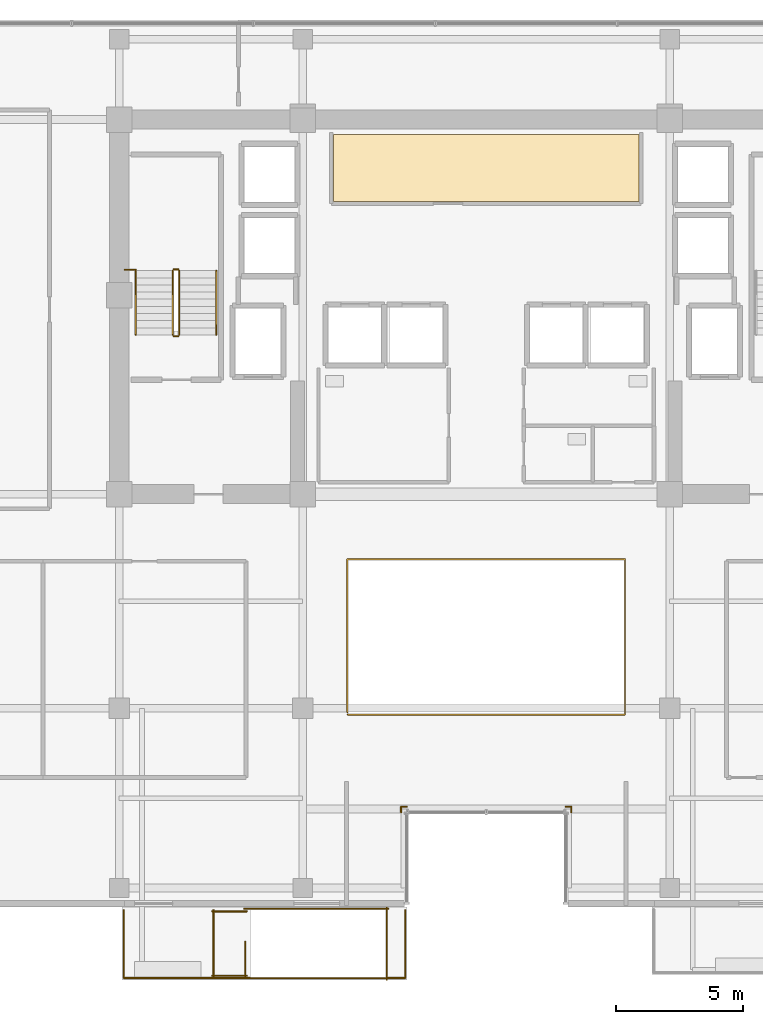
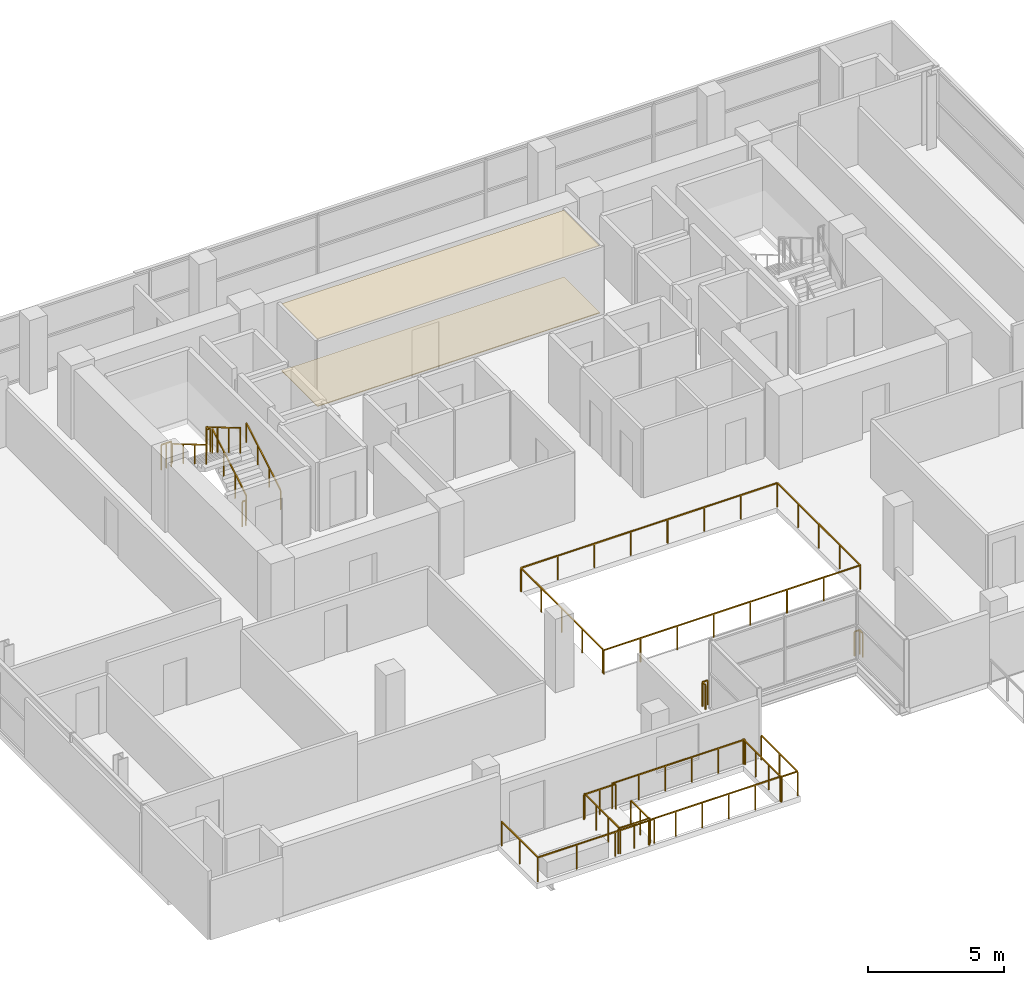
# One storey, part 21 of 23: 21 railings, 2 coverings.
"""IFC4 building model written with IfcOpenShell, lengths in metres."""

import ifcopenshell
import ifcopenshell.guid

model = None  # the IFC model being written
_history = None  # IfcOwnerHistory: only IFC2X3 demands one
_inside = {}  # id of a spatial element -> (the spatial element, [elements in it])
_under = {}  # id of a project, library or spatial element -> (it, [spatial elements below it])
_declared = {}  # id of a project -> (the project, [libraries it declares])
_typed = {}  # id of a type object -> (the type object, [elements of that type])
_made_of = {}  # id of a material, layer set ... -> (it, [elements and type objects made of it])


def new_model(schema):
    """Start an empty IFC model of exactly this schema.

    Asked for "IFC4X3", IfcOpenShell would pick the latest addendum, in which some entities
    have other attributes; the version numbers below select the first issue.
    IFC2X3 requires an IfcOwnerHistory on every rooted entity: one is made here for all.
    """
    global model, _history
    if schema == "IFC4X3":
        model = ifcopenshell.file(schema_version=(4, 3, 0, 0))
    else:
        model = ifcopenshell.file(schema=schema)
    _inside.clear()
    _under.clear()
    _declared.clear()
    _typed.clear()
    _made_of.clear()
    _history = None
    if model.schema == "IFC2X3":
        org = make("IfcOrganization", Name="unknown")
        user = make(
            "IfcPersonAndOrganization",
            ThePerson=make("IfcPerson", FamilyName="unknown"),
            TheOrganization=org,
        )
        app = make(
            "IfcApplication",
            ApplicationDeveloper=org,
            Version="unknown",
            ApplicationFullName="unknown",
            ApplicationIdentifier="unknown",
        )
        _history = make(
            "IfcOwnerHistory",
            OwningUser=user,
            OwningApplication=app,
            ChangeAction="ADDED",
            CreationDate=0,
        )
    return model


def make(cls, **values):
    """One entity of the class cls with the attributes given. An attribute that is None is left unset."""
    return model.create_entity(
        cls, **{name: value for name, value in values.items() if value is not None}
    )


def rooted(cls, **values):
    """An entity with a GlobalId (a new one), such as an element, a storey or a relation."""
    return make(cls, GlobalId=ifcopenshell.guid.new(), OwnerHistory=_history, **values)


def si_unit(unit_type, name, prefix=None):
    """IfcSIUnit, for example si_unit("LENGTHUNIT", "METRE", prefix="MILLI")."""
    return make("IfcSIUnit", UnitType=unit_type, Prefix=prefix, Name=name)


def assignment(units):
    """IfcUnitAssignment: the units of a project."""
    return None if units is None else make("IfcUnitAssignment", Units=units)


def point(xyz):
    """IfcCartesianPoint."""
    return None if xyz is None else make("IfcCartesianPoint", Coordinates=xyz)


def direction(xyz):
    """IfcDirection."""
    return None if xyz is None else make("IfcDirection", DirectionRatios=xyz)


def frame(location, z_axis=None, x_axis=None):
    """IfcAxis2Placement3D, a coordinate frame: its origin and axes. An axis left out is left unset."""
    return make(
        "IfcAxis2Placement3D",
        Location=point(location),
        Axis=direction(z_axis),
        RefDirection=direction(x_axis),
    )


def frame_2d(location, x_axis=None):
    """IfcAxis2Placement2D, a coordinate frame in the plane: its origin and x axis."""
    return make(
        "IfcAxis2Placement2D", Location=point(location), RefDirection=direction(x_axis)
    )


def origin():
    """The frame at (0, 0, 0) with its axes left unset."""
    return frame((0.0, 0.0, 0.0))


def origin_2d():
    """The frame at (0, 0) in the plane with its x axis left unset."""
    return frame_2d((0.0, 0.0))


def place(relative_to, where):
    """IfcLocalPlacement: puts the frame where relative to a parent placement (None: the world)."""
    return make(
        "IfcLocalPlacement", PlacementRelTo=relative_to, RelativePlacement=where
    )


def context(
    kind, dimensions, precision=None, world=None, true_north=None, identifier=None
):
    """IfcGeometricRepresentationContext, for example the 3D "Model" context."""
    return make(
        "IfcGeometricRepresentationContext",
        ContextIdentifier=identifier,
        ContextType=kind,
        CoordinateSpaceDimension=dimensions,
        Precision=precision,
        WorldCoordinateSystem=world,
        TrueNorth=true_north,
    )


def subcontext(parent, identifier, kind, view, scale=None):
    """IfcGeometricRepresentationSubContext, for example "Body" below "Model"."""
    return make(
        "IfcGeometricRepresentationSubContext",
        ContextIdentifier=identifier,
        ContextType=kind,
        ParentContext=parent,
        TargetScale=scale,
        TargetView=view,
    )


def project(units=None, contexts=None):
    """IfcProject with its units and contexts."""
    return rooted(
        "IfcProject",
        Name="project",
        RepresentationContexts=contexts,
        UnitsInContext=assignment(units),
    )


def spatial(cls, under=None, at=None, **own):
    """A site, building, storey or space (cls), placed at a placement, below another one or the project."""
    s = rooted(cls, ObjectPlacement=at, **own)
    if under is not None:
        _under.setdefault(under.id(), (under, []))[1].append(s)
    return s


def polyline(points):
    """IfcPolyline through the points."""
    return make("IfcPolyline", Points=[point(p) for p in points])


def profile(cls, at=None, kind="AREA", **sizes):
    """A parametric profile (cls). Its sizes go by their IFC names, for example OverallWidth=200.0."""
    return make(cls, ProfileType=kind, Position=at, **sizes)


def rectangle(**sizes):
    """IfcRectangleProfileDef."""
    return profile("IfcRectangleProfileDef", **sizes)


def outline(outer, holes=None, kind="AREA"):
    """IfcArbitraryClosedProfileDef: a profile drawn as a closed curve; with holes, ...WithVoids."""
    if holes is None:
        return make("IfcArbitraryClosedProfileDef", ProfileType=kind, OuterCurve=outer)
    return make(
        "IfcArbitraryProfileDefWithVoids",
        ProfileType=kind,
        OuterCurve=outer,
        InnerCurves=holes,
    )


def extrude(swept, where, along, depth):
    """IfcExtrudedAreaSolid: the profile swept, set in the frame where, extruded along a direction by depth."""
    return make(
        "IfcExtrudedAreaSolid",
        SweptArea=swept,
        Position=where,
        ExtrudedDirection=direction(along),
        Depth=depth,
    )


def shape(context_of_items, identifier, shape_type, items):
    """IfcShapeRepresentation: the items that make up one representation, for example the "Body"."""
    return make(
        "IfcShapeRepresentation",
        ContextOfItems=context_of_items,
        RepresentationIdentifier=identifier,
        RepresentationType=shape_type,
        Items=items,
    )


def material(Name=None, Category=None):
    """IfcMaterial."""
    return make("IfcMaterial", Name=Name, Category=Category)


def layer(
    of_material, thickness, ventilated=None, Name=None, Category=None, Priority=None
):
    """IfcMaterialLayer: one layer of a wall or slab, of a material (None: an air gap)."""
    return make(
        "IfcMaterialLayer",
        Material=of_material,
        LayerThickness=thickness,
        IsVentilated=ventilated,
        Name=Name,
        Category=Category,
        Priority=Priority,
    )


def layer_set(layers, Name=None):
    """IfcMaterialLayerSet."""
    return make("IfcMaterialLayerSet", MaterialLayers=layers, LayerSetName=Name)


def made_of(thing, what):
    """Note that an element or type object is made of a material, layer set ...; save() writes the relation."""
    if what is not None:
        _made_of.setdefault(what.id(), (what, []))[1].append(thing)
    return thing


def type_object(cls, material=None, **own):
    """A type object (cls), such as IfcWallType, which elements share."""
    return made_of(rooted(cls, **own), material)


def element(
    cls,
    number,
    at=None,
    inside=None,
    cuts=None,
    type_object=None,
    material=None,
    context=None,
    identifier="Body",
    shape_type=None,
    held_by="IfcProductDefinitionShape",
    body=None,
    shapes=None,
    **own,
):
    """One element of the class cls, such as IfcWall. Its Tag is "e" and its number.

    at: its placement. inside: the storey or other place that contains it. cuts: it is an
    opening in that element (IfcRelVoidsElement). A single representation is given by context,
    identifier, shape_type and body (its items); several are given by shapes. held_by: the class
    of the entity that holds the representations. save() writes the other relations.
    """
    e = rooted(cls, Tag="e%d" % number, ObjectPlacement=at, **own)
    if body is not None:
        shapes = [shape(context, identifier, shape_type, body)]
    if shapes is not None:
        e.Representation = make(held_by, Representations=shapes)
    if inside is not None:
        _inside.setdefault(inside.id(), (inside, []))[1].append(e)
    if cuts is not None:
        rooted(
            "IfcRelVoidsElement", RelatingBuildingElement=cuts, RelatedOpeningElement=e
        )
    if type_object is not None:
        _typed.setdefault(type_object.id(), (type_object, []))[1].append(e)
    return made_of(e, material)


def aggregate(whole, parts):
    """IfcRelAggregates: a whole, such as a stair, and the parts it consists of."""
    return rooted("IfcRelAggregates", RelatingObject=whole, RelatedObjects=parts)


def save(model, path):
    """Write the relations noted so far, then the file.

    IfcRelAggregates (storeys below a building ...), IfcRelContainedInSpatialStructure (elements
    in a storey), IfcRelDefinesByType, IfcRelAssociatesMaterial and IfcRelDeclares: one each for
    every whole, place, type object, material and project.
    """
    for whole, parts in _under.values():
        aggregate(whole, parts)
    for where, things in _inside.values():
        rooted(
            "IfcRelContainedInSpatialStructure",
            RelatedElements=things,
            RelatingStructure=where,
        )
    for kind, things in _typed.values():
        rooted("IfcRelDefinesByType", RelatedObjects=things, RelatingType=kind)
    for what, things in _made_of.values():
        rooted("IfcRelAssociatesMaterial", RelatedObjects=things, RelatingMaterial=what)
    for by, libraries in _declared.values():
        rooted("IfcRelDeclares", RelatingContext=by, RelatedDefinitions=libraries)
    model.write(path)


model = new_model("IFC4")

# Units and contexts
model_context = context("Model", 3, precision=1e-05, world=origin(), true_north=direction((0.0, 1.0)))
body_context = subcontext(model_context, "Body", "Model", "MODEL_VIEW")
ifc_project = project(units=[si_unit("LENGTHUNIT", "METRE"), si_unit("AREAUNIT", "SQUARE_METRE"), si_unit("VOLUMEUNIT", "CUBIC_METRE"), si_unit("PLANEANGLEUNIT", "RADIAN"), si_unit("MASSUNIT", "GRAM", prefix="KILO")], contexts=[model_context])

# Site, building, storey
site_placement = place(None, origin())
site = spatial("IfcSite", under=ifc_project, at=site_placement, CompositionType="ELEMENT")
building_placement = place(site_placement, origin())
building = spatial("IfcBuilding", under=site, at=building_placement, Name="Zarnakvel Exchange Tower", CompositionType="ELEMENT")
storey_placement = place(building_placement, frame((0.0, 0.0, 149.5)))
storey = spatial("IfcBuildingStorey", under=building, at=storey_placement, Name="L41", CompositionType="ELEMENT", Elevation=149.5)

# Coverings
ifc_material_1 = material(Name="Perforated Bronze Acoustic Metal Ceiling", Category="aluminium")
ifc_layer_1 = layer(ifc_material_1, 0.02001953125)
ifc_layer_set_1 = layer_set([ifc_layer_1], Name="Perforated Bronze Acoustic Metal Ceiling")
covering_type_1 = type_object("IfcCoveringType", Name="CLG-01", PredefinedType="CEILING", material=ifc_layer_set_1)
covering_1_placement = place(storey_placement, frame((0.0, 0.0, 3.014892578125)))
element("IfcCovering", 1, at=covering_1_placement, inside=storey, type_object=covering_type_1, Name="L41 Suspended Acoustic Ceiling (Market Data Archive Suite)", PredefinedType="CEILING", context=body_context, shape_type="SweptSolid", body=[
    extrude(outline(polyline([(-6.0, 12.919921875), (6.0, 12.919921875), (6.0, 10.280029296875), (-6.0, 10.280029296875), (-6.0, 12.919921875)])), origin(), (0.0, 0.0, 1.0), 0.02001953125),
])
ifc_material_2 = material(Name="Heavy-Duty Raised Access Floor Panel", Category="steel")
ifc_layer_2 = layer(ifc_material_2, 0.034912109375)
ifc_layer_set_2 = layer_set([ifc_layer_2], Name="Heavy-Duty Raised Access Floor Panel")
covering_type_2 = type_object("IfcCoveringType", Name="FLR-02", PredefinedType="FLOORING", material=ifc_layer_set_2)
covering_2_placement = place(storey_placement, origin())
element("IfcCovering", 2, at=covering_2_placement, inside=storey, type_object=covering_type_2, Name="L41 Floor Finish (Market Data Archive Suite)", PredefinedType="FLOORING", context=body_context, shape_type="SweptSolid", body=[
    extrude(outline(polyline([(-6.0, 12.919921875), (6.0, 12.919921875), (6.0, 10.280029296875), (-6.0, 10.280029296875), (-6.0, 12.919921875)])), origin(), (0.0, 0.0, 1.0), 0.034912109375),
])

# Railings
ifc_material_3 = material(Name="Architectural Bronze Anodised Aluminium", Category="aluminium")
railing_type_1 = type_object("IfcRailingType", Name="GR-02", PredefinedType="GUARDRAIL", material=ifc_material_3)
railing_1_placement = place(storey_placement, frame((-14.219970703125, -17.52001953125, 0.0)))
element("IfcRailing", 3, at=railing_1_placement, inside=storey, type_object=railing_type_1, Name="L41 Spiral Sky-Terrace West Perimeter Guardrail", PredefinedType="GUARDRAIL", context=body_context, shape_type="SweptSolid", body=[
    extrude(rectangle(XDim=0.048095703125, YDim=0.048095703125, at=origin_2d()), frame((0.0, 0.0, 1.09619140625), z_axis=(0.0, -1.0, 0.0), x_axis=(1.0, 0.0, 0.0)), (0.0, 0.0, 1.0), 2.659912109375),
    extrude(rectangle(XDim=0.048095703125, YDim=0.048095703125, at=origin_2d()), frame((0.0, -2.659912109375, 1.09619140625), z_axis=(1.0, 0.0, 0.0), x_axis=(0.0, 1.0, 0.0)), (0.0, 0.0, 1.0), 4.93994140625),
    extrude(rectangle(XDim=0.0419921875, YDim=0.0419921875, at=origin_2d()), origin(), (0.0, 0.0, 1.0), 1.072021484375),
    extrude(rectangle(XDim=0.0419921875, YDim=0.0419921875, at=origin_2d()), frame((0.0, -1.330078125, 0.0)), (0.0, 0.0, 1.0), 1.072021484375),
    extrude(rectangle(XDim=0.0419921875, YDim=0.0419921875, at=origin_2d()), frame((0.0, -2.659912109375, 0.0)), (0.0, 0.0, 1.0), 1.072021484375),
    extrude(rectangle(XDim=0.0419921875, YDim=0.0419921875, at=origin_2d()), frame((1.646728515625, -2.659912109375, 0.0)), (0.0, 0.0, 1.0), 1.072021484375),
    extrude(rectangle(XDim=0.0419921875, YDim=0.0419921875, at=origin_2d()), frame((3.293212890625, -2.659912109375, 0.0)), (0.0, 0.0, 1.0), 1.072021484375),
    extrude(rectangle(XDim=0.0419921875, YDim=0.0419921875, at=origin_2d()), frame((4.93994140625, -2.659912109375, 0.0)), (0.0, 0.0, 1.0), 1.072021484375),
])
railing_2_placement = place(storey_placement, frame((-3.909912109375, -20.179931640625, 0.0)))
element("IfcRailing", 4, at=railing_2_placement, inside=storey, type_object=railing_type_1, Name="L41 Spiral Sky-Terrace East Corner Guardrail", PredefinedType="GUARDRAIL", context=body_context, shape_type="SweptSolid", body=[
    extrude(rectangle(XDim=0.048095703125, YDim=0.048095703125, at=origin_2d()), frame((0.0, 0.0, 1.09619140625), z_axis=(1.0, 0.0, 0.0), x_axis=(0.0, 1.0, 0.0)), (0.0, 0.0, 1.0), 0.72998046875),
    extrude(rectangle(XDim=0.048095703125, YDim=0.048095703125, at=origin_2d()), frame((0.72998046875, 0.0, 1.09619140625), z_axis=(0.0, 1.0, 0.0), x_axis=(-1.0, 0.0, 0.0)), (0.0, 0.0, 1.0), 2.659912109375),
    extrude(rectangle(XDim=0.0419921875, YDim=0.0419921875, at=origin_2d()), origin(), (0.0, 0.0, 1.0), 1.072021484375),
    extrude(rectangle(XDim=0.0419921875, YDim=0.0419921875, at=origin_2d()), frame((0.72998046875, 0.0, 0.0)), (0.0, 0.0, 1.0), 1.072021484375),
    extrude(rectangle(XDim=0.0419921875, YDim=0.0419921875, at=origin_2d()), frame((0.72998046875, 1.330078125, 0.0)), (0.0, 0.0, 1.0), 1.072021484375),
    extrude(rectangle(XDim=0.0419921875, YDim=0.0419921875, at=origin_2d()), frame((0.72998046875, 2.659912109375, 0.0)), (0.0, 0.0, 1.0), 1.072021484375),
])
railing_3_placement = place(storey_placement, frame((3.340087890625, -13.679931640625, 0.0)))
element("IfcRailing", 5, at=railing_3_placement, inside=storey, type_object=railing_type_1, Name="L41 Corner Spandrel Balustrade #17", PredefinedType="GUARDRAIL", context=body_context, shape_type="SweptSolid", body=[
    extrude(rectangle(XDim=0.048095703125, YDim=0.048095703125, at=origin_2d()), frame((0.0, 0.0, 1.09619140625), z_axis=(0.0, 1.0, 0.0), x_axis=(-1.0, 0.0, 0.0)), (0.0, 0.0, 1.0), 0.219970703125),
    extrude(rectangle(XDim=0.0419921875, YDim=0.0419921875, at=origin_2d()), origin(), (0.0, 0.0, 1.0), 1.072021484375),
    extrude(rectangle(XDim=0.0419921875, YDim=0.0419921875, at=origin_2d()), frame((0.0, 0.219970703125, 0.0)), (0.0, 0.0, 1.0), 1.072021484375),
])
for number, where, name in (
    (6, (3.340087890625, -13.4599609375, 0.0), "L41 Corner Spandrel Balustrade #18"),
    (7, (-3.1201171875, -13.4599609375, 0.0), "L41 Corner Spandrel Balustrade #19"),
):
    element("IfcRailing", number, at=place(storey_placement, frame(where)), inside=storey, type_object=railing_type_1, Name=name, PredefinedType="GUARDRAIL", context=body_context, shape_type="SweptSolid", body=[
        extrude(rectangle(XDim=0.048095703125, YDim=0.048095703125, at=origin_2d()), frame((0.0, 0.0, 1.09619140625), z_axis=(-1.0, 0.0, 0.0), x_axis=(0.0, -1.0, 0.0)), (0.0, 0.0, 1.0), 0.219970703125),
        extrude(rectangle(XDim=0.0419921875, YDim=0.0419921875, at=origin_2d()), origin(), (0.0, 0.0, 1.0), 1.072021484375),
        extrude(rectangle(XDim=0.0419921875, YDim=0.0419921875, at=origin_2d()), frame((-0.219970703125, 0.0, 0.0)), (0.0, 0.0, 1.0), 1.072021484375),
    ])
railing_4_placement = place(storey_placement, frame((-3.340087890625, -13.4599609375, 0.0)))
element("IfcRailing", 8, at=railing_4_placement, inside=storey, type_object=railing_type_1, Name="L41 Corner Spandrel Balustrade #20", PredefinedType="GUARDRAIL", context=body_context, shape_type="SweptSolid", body=[
    extrude(rectangle(XDim=0.048095703125, YDim=0.048095703125, at=origin_2d()), frame((0.0, 0.0, 1.09619140625), z_axis=(0.0, -1.0, 0.0), x_axis=(1.0, 0.0, 0.0)), (0.0, 0.0, 1.0), 0.219970703125),
    extrude(rectangle(XDim=0.0419921875, YDim=0.0419921875, at=origin_2d()), origin(), (0.0, 0.0, 1.0), 1.072021484375),
    extrude(rectangle(XDim=0.0419921875, YDim=0.0419921875, at=origin_2d()), frame((0.0, -0.219970703125, 0.0)), (0.0, 0.0, 1.0), 1.072021484375),
])
railing_type_2 = type_object("IfcRailingType", Name="GR-03", PredefinedType="GUARDRAIL", material=ifc_material_3)
railing_5_placement = place(storey_placement, frame((-5.449951171875, -9.85009765625, 0.0)))
element("IfcRailing", 9, at=railing_5_placement, inside=storey, type_object=railing_type_2, Name="L41 Atrium Void Perimeter Balustrade", PredefinedType="GUARDRAIL", context=body_context, shape_type="SweptSolid", body=[
    extrude(rectangle(XDim=0.048095703125, YDim=0.048095703125, at=origin_2d()), frame((0.0, 0.0, 1.076171875), z_axis=(1.0, 0.0, 0.0), x_axis=(0.0, 1.0, 0.0)), (0.0, 0.0, 1.0), 10.89990234375),
    extrude(rectangle(XDim=0.048095703125, YDim=0.048095703125, at=origin_2d()), frame((10.89990234375, 0.0, 1.076171875), z_axis=(0.0, 1.0, 0.0), x_axis=(-1.0, 0.0, 0.0)), (0.0, 0.0, 1.0), 6.10009765625),
    extrude(rectangle(XDim=0.048095703125, YDim=0.048095703125, at=origin_2d()), frame((10.89990234375, 6.10009765625, 1.076171875), z_axis=(-1.0, 0.0, 0.0), x_axis=(0.0, -1.0, 0.0)), (0.0, 0.0, 1.0), 10.89990234375),
    extrude(rectangle(XDim=0.048095703125, YDim=0.048095703125, at=origin_2d()), frame((0.0, 6.10009765625, 1.076171875), z_axis=(0.0, -1.0, 0.0), x_axis=(1.0, 0.0, 0.0)), (0.0, 0.0, 1.0), 6.02001953125),
    extrude(rectangle(XDim=0.0419921875, YDim=0.0419921875, at=origin_2d()), origin(), (0.0, 0.0, 1.0), 1.052001953125),
    extrude(rectangle(XDim=0.0419921875, YDim=0.0419921875, at=origin_2d()), frame((1.55712890625, 0.0, 0.0)), (0.0, 0.0, 1.0), 1.052001953125),
    extrude(rectangle(XDim=0.0419921875, YDim=0.0419921875, at=origin_2d()), frame((3.1142578125, 0.0, 0.0)), (0.0, 0.0, 1.0), 1.052001953125),
    extrude(rectangle(XDim=0.0419921875, YDim=0.0419921875, at=origin_2d()), frame((4.67138671875, 0.0, 0.0)), (0.0, 0.0, 1.0), 1.052001953125),
    extrude(rectangle(XDim=0.0419921875, YDim=0.0419921875, at=origin_2d()), frame((6.228515625, 0.0, 0.0)), (0.0, 0.0, 1.0), 1.052001953125),
    extrude(rectangle(XDim=0.0419921875, YDim=0.0419921875, at=origin_2d()), frame((7.78564453125, 0.0, 0.0)), (0.0, 0.0, 1.0), 1.052001953125),
    extrude(rectangle(XDim=0.0419921875, YDim=0.0419921875, at=origin_2d()), frame((9.3427734375, 0.0, 0.0)), (0.0, 0.0, 1.0), 1.052001953125),
    extrude(rectangle(XDim=0.0419921875, YDim=0.0419921875, at=origin_2d()), frame((10.89990234375, 0.0, 0.0)), (0.0, 0.0, 1.0), 1.052001953125),
    extrude(rectangle(XDim=0.0419921875, YDim=0.0419921875, at=origin_2d()), frame((10.89990234375, 1.52490234375, 0.0)), (0.0, 0.0, 1.0), 1.052001953125),
    extrude(rectangle(XDim=0.0419921875, YDim=0.0419921875, at=origin_2d()), frame((10.89990234375, 3.050048828125, 0.0)), (0.0, 0.0, 1.0), 1.052001953125),
    extrude(rectangle(XDim=0.0419921875, YDim=0.0419921875, at=origin_2d()), frame((10.89990234375, 4.5751953125, 0.0)), (0.0, 0.0, 1.0), 1.052001953125),
    extrude(rectangle(XDim=0.0419921875, YDim=0.0419921875, at=origin_2d()), frame((10.89990234375, 6.10009765625, 0.0)), (0.0, 0.0, 1.0), 1.052001953125),
    extrude(rectangle(XDim=0.0419921875, YDim=0.0419921875, at=origin_2d()), frame((9.3427734375, 6.10009765625, 0.0)), (0.0, 0.0, 1.0), 1.052001953125),
    extrude(rectangle(XDim=0.0419921875, YDim=0.0419921875, at=origin_2d()), frame((7.78564453125, 6.10009765625, 0.0)), (0.0, 0.0, 1.0), 1.052001953125),
    extrude(rectangle(XDim=0.0419921875, YDim=0.0419921875, at=origin_2d()), frame((6.228515625, 6.10009765625, 0.0)), (0.0, 0.0, 1.0), 1.052001953125),
    extrude(rectangle(XDim=0.0419921875, YDim=0.0419921875, at=origin_2d()), frame((4.67138671875, 6.10009765625, 0.0)), (0.0, 0.0, 1.0), 1.052001953125),
    extrude(rectangle(XDim=0.0419921875, YDim=0.0419921875, at=origin_2d()), frame((3.1142578125, 6.10009765625, 0.0)), (0.0, 0.0, 1.0), 1.052001953125),
    extrude(rectangle(XDim=0.0419921875, YDim=0.0419921875, at=origin_2d()), frame((1.55712890625, 6.10009765625, 0.0)), (0.0, 0.0, 1.0), 1.052001953125),
    extrude(rectangle(XDim=0.0419921875, YDim=0.0419921875, at=origin_2d()), frame((0.0, 6.10009765625, 0.0)), (0.0, 0.0, 1.0), 1.052001953125),
    extrude(rectangle(XDim=0.0419921875, YDim=0.0419921875, at=origin_2d()), frame((0.0, 4.59521484375, 0.0)), (0.0, 0.0, 1.0), 1.052001953125),
    extrude(rectangle(XDim=0.0419921875, YDim=0.0419921875, at=origin_2d()), frame((0.0, 3.090087890625, 0.0)), (0.0, 0.0, 1.0), 1.052001953125),
    extrude(rectangle(XDim=0.0419921875, YDim=0.0419921875, at=origin_2d()), frame((0.0, 1.5849609375, 0.0)), (0.0, 0.0, 1.0), 1.052001953125),
    extrude(rectangle(XDim=0.0419921875, YDim=0.0419921875, at=origin_2d()), frame((0.0, 0.080078125, 0.0)), (0.0, 0.0, 1.0), 1.052001953125),
])
ifc_material_4 = material(Name="Brushed Stainless Steel", Category="steel")
railing_type_3 = type_object("IfcRailingType", Name="HR-01", PredefinedType="HANDRAIL", material=ifc_material_4)
railing_6_placement = place(storey_placement, frame((-10.590087890625, 5.050048828125, 0.1650390625)))
element("IfcRailing", 10, at=railing_6_placement, inside=storey, type_object=railing_type_3, Name="L41 ST-01 stair handrail 1", PredefinedType="HANDRAIL", context=body_context, shape_type="SweptSolid", body=[
    extrude(rectangle(XDim=0.048095703125, YDim=0.048095703125, at=origin_2d()), frame((0.0, 0.0, 0.8759765625), z_axis=(0.0, 0.861560626758, 0.507654692109), x_axis=(-1.0, 0.0, 0.0)), (0.0, 0.0, 1.0), 2.925048828125),
    extrude(rectangle(XDim=0.0419921875, YDim=0.0419921875, at=origin_2d()), origin(), (0.0, 0.0, 1.0), 0.851806640625),
    extrude(rectangle(XDim=0.0419921875, YDim=0.0419921875, at=origin_2d()), frame((0.0, 0.840087890625, 0.494873046875)), (0.0, 0.0, 1.0), 0.851806640625),
    extrude(rectangle(XDim=0.0419921875, YDim=0.0419921875, at=origin_2d()), frame((0.0, 1.679931640625, 0.989990234375)), (0.0, 0.0, 1.0), 0.851806640625),
    extrude(rectangle(XDim=0.0419921875, YDim=0.0419921875, at=origin_2d()), frame((0.0, 2.52001953125, 1.48486328125)), (0.0, 0.0, 1.0), 0.851806640625),
])
railing_7_placement = place(storey_placement, frame((-13.75, 7.570068359375, 1.81494140625)))
element("IfcRailing", 11, at=railing_7_placement, inside=storey, type_object=railing_type_3, Name="L41 ST-01 stair handrail 2", PredefinedType="HANDRAIL", context=body_context, shape_type="SweptSolid", body=[
    extrude(rectangle(XDim=0.048095703125, YDim=0.048095703125, at=origin_2d()), frame((0.0, 0.0, 0.8759765625), z_axis=(0.0, -0.86152411907, 0.507716645641), x_axis=(1.0, 0.0, 0.0)), (0.0, 0.0, 1.0), 2.925048828125),
    extrude(rectangle(XDim=0.0419921875, YDim=0.0419921875, at=origin_2d()), origin(), (0.0, 0.0, 1.0), 0.851806640625),
    extrude(rectangle(XDim=0.0419921875, YDim=0.0419921875, at=origin_2d()), frame((0.0, -0.840087890625, 0.4951171875)), (0.0, 0.0, 1.0), 0.851806640625),
    extrude(rectangle(XDim=0.0419921875, YDim=0.0419921875, at=origin_2d()), frame((0.0, -1.679931640625, 0.989990234375)), (0.0, 0.0, 1.0), 0.851806640625),
    extrude(rectangle(XDim=0.0419921875, YDim=0.0419921875, at=origin_2d()), frame((0.0, -2.52001953125, 1.485107421875)), (0.0, 0.0, 1.0), 0.851806640625),
])
railing_type_4 = type_object("IfcRailingType", Name="SG-01", PredefinedType="GUARDRAIL", material=ifc_material_3)
railing_8_placement = place(storey_placement, frame((-12.0400390625, 5.050048828125, 0.1650390625)))
element("IfcRailing", 12, at=railing_8_placement, inside=storey, type_object=railing_type_4, Name="L41 ST-01 stair guard 1", PredefinedType="GUARDRAIL", context=body_context, shape_type="SweptSolid", body=[
    extrude(rectangle(XDim=0.048095703125, YDim=0.048095703125, at=origin_2d()), frame((0.0, 0.0, 1.1259765625), z_axis=(0.0, 0.861560626758, 0.507654692109), x_axis=(-1.0, 0.0, 0.0)), (0.0, 0.0, 1.0), 2.925048828125),
    extrude(rectangle(XDim=0.0419921875, YDim=0.0419921875, at=origin_2d()), origin(), (0.0, 0.0, 1.0), 1.101806640625),
    extrude(rectangle(XDim=0.0419921875, YDim=0.0419921875, at=origin_2d()), frame((0.0, 0.840087890625, 0.494873046875)), (0.0, 0.0, 1.0), 1.101806640625),
    extrude(rectangle(XDim=0.0419921875, YDim=0.0419921875, at=origin_2d()), frame((0.0, 1.679931640625, 0.989990234375)), (0.0, 0.0, 1.0), 1.101806640625),
    extrude(rectangle(XDim=0.0419921875, YDim=0.0419921875, at=origin_2d()), frame((0.0, 2.52001953125, 1.48486328125)), (0.0, 0.0, 1.0), 1.101806640625),
])
railing_9_placement = place(storey_placement, frame((-12.090087890625, 7.6201171875, 1.64990234375)))
element("IfcRailing", 13, at=railing_9_placement, inside=storey, type_object=railing_type_4, Name="L41 ST-01 stair guard 2", PredefinedType="GUARDRAIL", context=body_context, shape_type="SweptSolid", body=[
    extrude(rectangle(XDim=0.048095703125, YDim=0.048095703125, at=origin_2d()), frame((0.0, 0.0, 1.1259765625), z_axis=(-1.0, 0.0, 0.0), x_axis=(0.0, -1.0, 0.0)), (0.0, 0.0, 1.0), 0.159912109375),
    extrude(rectangle(XDim=0.0419921875, YDim=0.0419921875, at=origin_2d()), origin(), (0.0, 0.0, 1.0), 1.101806640625),
    extrude(rectangle(XDim=0.0419921875, YDim=0.0419921875, at=origin_2d()), frame((-0.159912109375, 0.0, 0.0)), (0.0, 0.0, 1.0), 1.101806640625),
])
railing_10_placement = place(storey_placement, frame((-12.300048828125, 7.570068359375, 1.81494140625)))
element("IfcRailing", 14, at=railing_10_placement, inside=storey, type_object=railing_type_4, Name="L41 ST-01 stair guard 3", PredefinedType="GUARDRAIL", context=body_context, shape_type="SweptSolid", body=[
    extrude(rectangle(XDim=0.048095703125, YDim=0.048095703125, at=origin_2d()), frame((0.0, 0.0, 1.1259765625), z_axis=(0.0, -0.86152411907, 0.507716645641), x_axis=(1.0, 0.0, 0.0)), (0.0, 0.0, 1.0), 2.925048828125),
    extrude(rectangle(XDim=0.0419921875, YDim=0.0419921875, at=origin_2d()), origin(), (0.0, 0.0, 1.0), 1.101806640625),
    extrude(rectangle(XDim=0.0419921875, YDim=0.0419921875, at=origin_2d()), frame((0.0, -0.840087890625, 0.4951171875)), (0.0, 0.0, 1.0), 1.101806640625),
    extrude(rectangle(XDim=0.0419921875, YDim=0.0419921875, at=origin_2d()), frame((0.0, -1.679931640625, 0.989990234375)), (0.0, 0.0, 1.0), 1.101806640625),
    extrude(rectangle(XDim=0.0419921875, YDim=0.0419921875, at=origin_2d()), frame((0.0, -2.52001953125, 1.485107421875)), (0.0, 0.0, 1.0), 1.101806640625),
])
railing_11_placement = place(storey_placement, frame((-12.090087890625, 5.0, 0.0)))
element("IfcRailing", 15, at=railing_11_placement, inside=storey, type_object=railing_type_4, Name="L41 ST-01 stair guard 4", PredefinedType="GUARDRAIL", context=body_context, shape_type="SweptSolid", body=[
    extrude(rectangle(XDim=0.048095703125, YDim=0.048095703125, at=origin_2d()), frame((0.0, 0.0, 1.1259765625), z_axis=(-1.0, 0.0, 0.0), x_axis=(0.0, -1.0, 0.0)), (0.0, 0.0, 1.0), 0.159912109375),
    extrude(rectangle(XDim=0.0419921875, YDim=0.0419921875, at=origin_2d()), origin(), (0.0, 0.0, 1.0), 1.101806640625),
    extrude(rectangle(XDim=0.0419921875, YDim=0.0419921875, at=origin_2d()), frame((-0.159912109375, 0.0, 0.0)), (0.0, 0.0, 1.0), 1.101806640625),
])
railing_12_placement = place(storey_placement, frame((-14.179931640625, 7.610107421875, 1.64990234375)))
element("IfcRailing", 16, at=railing_12_placement, inside=storey, type_object=railing_type_4, Name="L41 ST-01 Landing Slot Guardrail", PredefinedType="GUARDRAIL", context=body_context, shape_type="SweptSolid", body=[
    extrude(rectangle(XDim=0.048095703125, YDim=0.048095703125, at=origin_2d()), frame((0.0, 0.0, 1.1259765625), z_axis=(1.0, 0.0, 0.0), x_axis=(0.0, 1.0, 0.0)), (0.0, 0.0, 1.0), 0.429931640625),
    extrude(rectangle(XDim=0.0419921875, YDim=0.0419921875, at=origin_2d()), origin(), (0.0, 0.0, 1.0), 1.101806640625),
    extrude(rectangle(XDim=0.0419921875, YDim=0.0419921875, at=origin_2d()), frame((0.21484375, 0.0, 0.0)), (0.0, 0.0, 1.0), 1.101806640625),
    extrude(rectangle(XDim=0.0419921875, YDim=0.0419921875, at=origin_2d()), frame((0.429931640625, 0.0, 0.0)), (0.0, 0.0, 1.0), 1.101806640625),
])
railing_13_placement = place(storey_placement, frame((-9.449951171875, -20.139892578125, 0.0)))
element("IfcRailing", 17, at=railing_13_placement, inside=storey, type_object=railing_type_4, Name="L41 ST-11 top well guard 1", PredefinedType="GUARDRAIL", context=body_context, shape_type="SweptSolid", body=[
    extrude(rectangle(XDim=0.048095703125, YDim=0.048095703125, at=origin_2d()), frame((0.0, 0.0, 1.1259765625), z_axis=(0.0, 1.0, 0.0), x_axis=(-1.0, 0.0, 0.0)), (0.0, 0.0, 1.0), 1.369873046875),
    extrude(rectangle(XDim=0.0419921875, YDim=0.0419921875, at=origin_2d()), origin(), (0.0, 0.0, 1.0), 1.101806640625),
    extrude(rectangle(XDim=0.0419921875, YDim=0.0419921875, at=origin_2d()), frame((0.0, 0.68505859375, 0.0)), (0.0, 0.0, 1.0), 1.101806640625),
    extrude(rectangle(XDim=0.0419921875, YDim=0.0419921875, at=origin_2d()), frame((0.0, 1.369873046875, 0.0)), (0.0, 0.0, 1.0), 1.101806640625),
])
for number, where, name in (
    (18, (-9.5, -20.18994140625, 0.0), "L41 ST-11 top well guard 2"),
    (19, (-9.5, -17.469970703125, 0.0), "L41 ST-11 top well guard 3"),
):
    element("IfcRailing", number, at=place(storey_placement, frame(where)), inside=storey, type_object=railing_type_4, Name=name, PredefinedType="GUARDRAIL", context=body_context, shape_type="SweptSolid", body=[
        extrude(rectangle(XDim=0.048095703125, YDim=0.048095703125, at=origin_2d()), frame((0.0, 0.0, 1.1259765625), z_axis=(1.0, 0.0, 0.0), x_axis=(0.0, 1.0, 0.0)), (0.0, 0.0, 1.0), 5.64990234375),
        extrude(rectangle(XDim=0.0419921875, YDim=0.0419921875, at=origin_2d()), origin(), (0.0, 0.0, 1.0), 1.101806640625),
        extrude(rectangle(XDim=0.0419921875, YDim=0.0419921875, at=origin_2d()), frame((1.1298828125, 0.0, 0.0)), (0.0, 0.0, 1.0), 1.101806640625),
        extrude(rectangle(XDim=0.0419921875, YDim=0.0419921875, at=origin_2d()), frame((2.260009765625, 0.0, 0.0)), (0.0, 0.0, 1.0), 1.101806640625),
        extrude(rectangle(XDim=0.0419921875, YDim=0.0419921875, at=origin_2d()), frame((3.389892578125, 0.0, 0.0)), (0.0, 0.0, 1.0), 1.101806640625),
        extrude(rectangle(XDim=0.0419921875, YDim=0.0419921875, at=origin_2d()), frame((4.52001953125, 0.0, 0.0)), (0.0, 0.0, 1.0), 1.101806640625),
        extrude(rectangle(XDim=0.0419921875, YDim=0.0419921875, at=origin_2d()), frame((5.64990234375, 0.0, 0.0)), (0.0, 0.0, 1.0), 1.101806640625),
    ])
railing_14_placement = place(storey_placement, frame((-3.89990234375, -20.239990234375, 0.0)))
element("IfcRailing", 20, at=railing_14_placement, inside=storey, type_object=railing_type_4, Name="L41 ST-11 top well guard 4", PredefinedType="GUARDRAIL", context=body_context, shape_type="SweptSolid", body=[
    extrude(rectangle(XDim=0.048095703125, YDim=0.048095703125, at=origin_2d()), frame((0.0, 0.0, 1.1259765625), z_axis=(0.0, 1.0, 0.0), x_axis=(-1.0, 0.0, 0.0)), (0.0, 0.0, 1.0), 2.820068359375),
    extrude(rectangle(XDim=0.0419921875, YDim=0.0419921875, at=origin_2d()), origin(), (0.0, 0.0, 1.0), 1.101806640625),
    extrude(rectangle(XDim=0.0419921875, YDim=0.0419921875, at=origin_2d()), frame((0.0, 0.93994140625, 0.0)), (0.0, 0.0, 1.0), 1.101806640625),
    extrude(rectangle(XDim=0.0419921875, YDim=0.0419921875, at=origin_2d()), frame((0.0, 1.880126953125, 0.0)), (0.0, 0.0, 1.0), 1.101806640625),
    extrude(rectangle(XDim=0.0419921875, YDim=0.0419921875, at=origin_2d()), frame((0.0, 2.820068359375, 0.0)), (0.0, 0.0, 1.0), 1.101806640625),
])
for number, where, name in (
    (21, (-10.75, -20.090087890625, 0.0), "L41 ST-11 top well guard 5"),
    (22, (-10.75, -17.570068359375, 0.0), "L41 ST-11 top well guard 6"),
):
    element("IfcRailing", number, at=place(storey_placement, frame(where)), inside=storey, type_object=railing_type_4, Name=name, PredefinedType="GUARDRAIL", context=body_context, shape_type="SweptSolid", body=[
        extrude(rectangle(XDim=0.048095703125, YDim=0.048095703125, at=origin_2d()), frame((0.0, 0.0, 1.1259765625), z_axis=(1.0, 0.0, 0.0), x_axis=(0.0, 1.0, 0.0)), (0.0, 0.0, 1.0), 1.35009765625),
        extrude(rectangle(XDim=0.0419921875, YDim=0.0419921875, at=origin_2d()), origin(), (0.0, 0.0, 1.0), 1.101806640625),
        extrude(rectangle(XDim=0.0419921875, YDim=0.0419921875, at=origin_2d()), frame((0.675048828125, 0.0, 0.0)), (0.0, 0.0, 1.0), 1.101806640625),
        extrude(rectangle(XDim=0.0419921875, YDim=0.0419921875, at=origin_2d()), frame((1.35009765625, 0.0, 0.0)), (0.0, 0.0, 1.0), 1.101806640625),
    ])
railing_15_placement = place(storey_placement, frame((-10.699951171875, -20.139892578125, 0.0)))
element("IfcRailing", 23, at=railing_15_placement, inside=storey, type_object=railing_type_4, Name="L41 ST-11 top well guard 7", PredefinedType="GUARDRAIL", context=body_context, shape_type="SweptSolid", body=[
    extrude(rectangle(XDim=0.048095703125, YDim=0.048095703125, at=origin_2d()), frame((0.0, 0.0, 1.1259765625), z_axis=(0.0, 1.0, 0.0), x_axis=(-1.0, 0.0, 0.0)), (0.0, 0.0, 1.0), 2.619873046875),
    extrude(rectangle(XDim=0.0419921875, YDim=0.0419921875, at=origin_2d()), origin(), (0.0, 0.0, 1.0), 1.101806640625),
    extrude(rectangle(XDim=0.0419921875, YDim=0.0419921875, at=origin_2d()), frame((0.0, 0.873291015625, 0.0)), (0.0, 0.0, 1.0), 1.101806640625),
    extrude(rectangle(XDim=0.0419921875, YDim=0.0419921875, at=origin_2d()), frame((0.0, 1.74658203125, 0.0)), (0.0, 0.0, 1.0), 1.101806640625),
    extrude(rectangle(XDim=0.0419921875, YDim=0.0419921875, at=origin_2d()), frame((0.0, 2.619873046875, 0.0)), (0.0, 0.0, 1.0), 1.101806640625),
])

save(model, "model.ifc")
